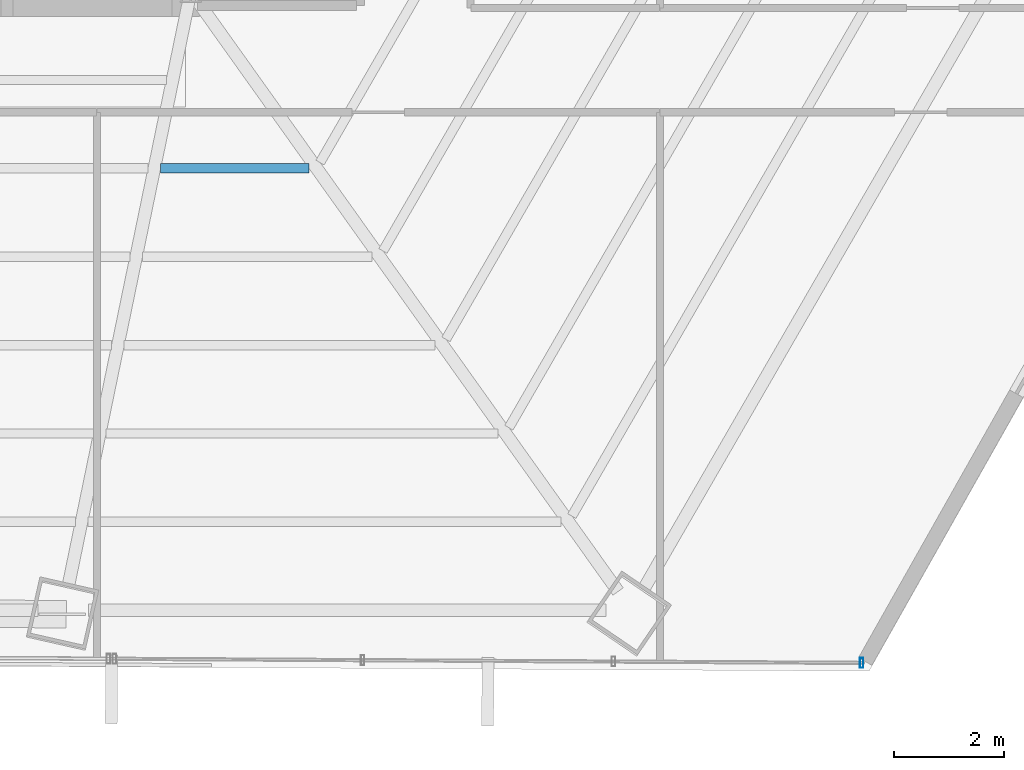
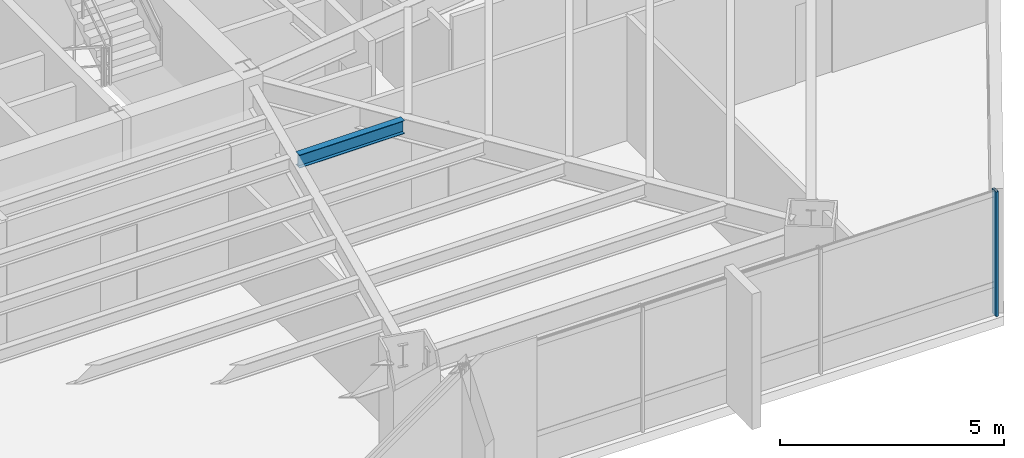
# One storey, part 17 of 35: 1 beam, 1 member, 1 element without a shape of its own.
"""IFC4 building model written with IfcOpenShell, lengths in metres."""

from ifc_helpers import new_model, si_unit, direction, frame, origin, origin_2d, place, context, subcontext, project, spatial, hollow_rectangle, i_section, extrude, source, transform, mapped, material, material_profile, profile_set, type_object, type_shapes, element, aggregate, save


model = new_model("IFC4")

# Units and contexts
model_context = context("Model", 3, precision=1e-05, world=origin(), true_north=direction((0.0, 1.0)))
body_context = subcontext(model_context, "Body", "Model", "MODEL_VIEW")
ifc_project = project(units=[si_unit("LENGTHUNIT", "METRE"), si_unit("AREAUNIT", "SQUARE_METRE"), si_unit("VOLUMEUNIT", "CUBIC_METRE"), si_unit("PLANEANGLEUNIT", "RADIAN"), si_unit("MASSUNIT", "GRAM", prefix="KILO")], contexts=[model_context])

# Site, building, storey
site_placement = place(None, origin())
site = spatial("IfcSite", under=ifc_project, at=site_placement, CompositionType="ELEMENT")
building_placement = place(site_placement, origin())
building = spatial("IfcBuilding", under=site, at=building_placement, Name="Caelisora Broadcast Tower", CompositionType="ELEMENT")
storey_placement = place(building_placement, frame((0.0, 0.0, 90.800048828125)))
storey = spatial("IfcBuildingStorey", under=building, at=storey_placement, Name="L23", CompositionType="ELEMENT", Elevation=90.800048828125)

# Beam
ifc_material_1 = material(Name="Steel Grade 350 (AS/NZS 3679.1)", Category="steel")
ifc_material_profile_1 = material_profile(ifc_material_1, i_section(OverallWidth=0.172119140625, OverallDepth=0.358642578125, WebThickness=0.008056640625, FlangeThickness=0.012939453125, at=origin_2d()), Name="Steel Grade 350 (AS/NZS 3679.1)")
ifc_profile_set_1 = profile_set([ifc_material_profile_1], Name="Steel Grade 350 (AS/NZS 3679.1)")
beam_type = type_object("IfcBeamType", Name="SB02", PredefinedType="JOIST", material=ifc_profile_set_1)
shared_shape_1 = source(origin(), body_context, "Body", "SweptSolid", [
    extrude(i_section(OverallWidth=0.172119140625, OverallDepth=0.358642578125, WebThickness=0.008056640625, FlangeThickness=0.012939453125, at=origin_2d()), origin(), (0.0, 0.0, 1.0), 2.708251953125),
])
type_shapes(beam_type, [shared_shape_1])
beam_placement = place(storey_placement, frame((44.949951171875, 14.17822265625, 3.220703125), z_axis=(1.0, 0.0, 0.0), x_axis=(0.0, 1.0, 0.0)))
element("IfcBeam", 1, at=beam_placement, inside=storey, type_object=beam_type, Name="L23 beam SB02", PredefinedType="JOIST", context=body_context, shape_type="MappedRepresentation", body=[
    mapped(shared_shape_1, transform((0.0, 0.0, 0.0), scale=1.0)),
])

# Curtain wall, member
ifc_material_2 = material(Name="Unitised Aluminium and Low-E Glass Curtain Wall", Category="glass")
curtain_wall_type = type_object("IfcCurtainWallType", Name="CW-Z2", PredefinedType="NOTDEFINED", material=ifc_material_2)
curtain_wall_placement = place(storey_placement, origin())
curtain_wall = element("IfcCurtainWall", 2, at=curtain_wall_placement, inside=storey, type_object=curtain_wall_type, Name="L23 curtain wall CW-Z2", PredefinedType="NOTDEFINED")
ifc_material_3 = material(Name="Aluminium 6063-T6 Anodised Terracotta Bronze", Category="aluminium")
ifc_material_profile_2 = material_profile(ifc_material_3, hollow_rectangle(XDim=0.06494140625, YDim=0.179931640625, WallThickness=0.00341796875, at=origin_2d()), Name="Aluminium 6063-T6 Anodised Terracotta Bronze")
ifc_profile_set_2 = profile_set([ifc_material_profile_2], Name="Aluminium 6063-T6 Anodised Terracotta Bronze")
member_type = type_object("IfcMemberType", Name="CWM-02", PredefinedType="MULLION", material=ifc_profile_set_2)
shared_shape_2 = source(origin(), body_context, "Body", "SweptSolid", [
    extrude(hollow_rectangle(XDim=0.06494140625, YDim=0.179931640625, WallThickness=0.00341796875, at=origin_2d()), origin(), (0.0, 0.0, 1.0), 3.39990234375),
])
type_shapes(member_type, [shared_shape_2])
member_placement = place(storey_placement, frame((57.72802734375, 5.164306640625, 0.0), z_axis=(0.0, 0.0, 1.0), x_axis=(1.0, 0.0, 0.0)))
member = element("IfcMember", 3, at=member_placement, type_object=member_type, Name="L23-CW-B05 mullion #0", PredefinedType="MULLION", context=body_context, shape_type="MappedRepresentation", body=[
    mapped(shared_shape_2, transform((0.0, 0.0, 0.0), scale=1.0)),
])
aggregate(curtain_wall, [member])

save(model, "model.ifc")
